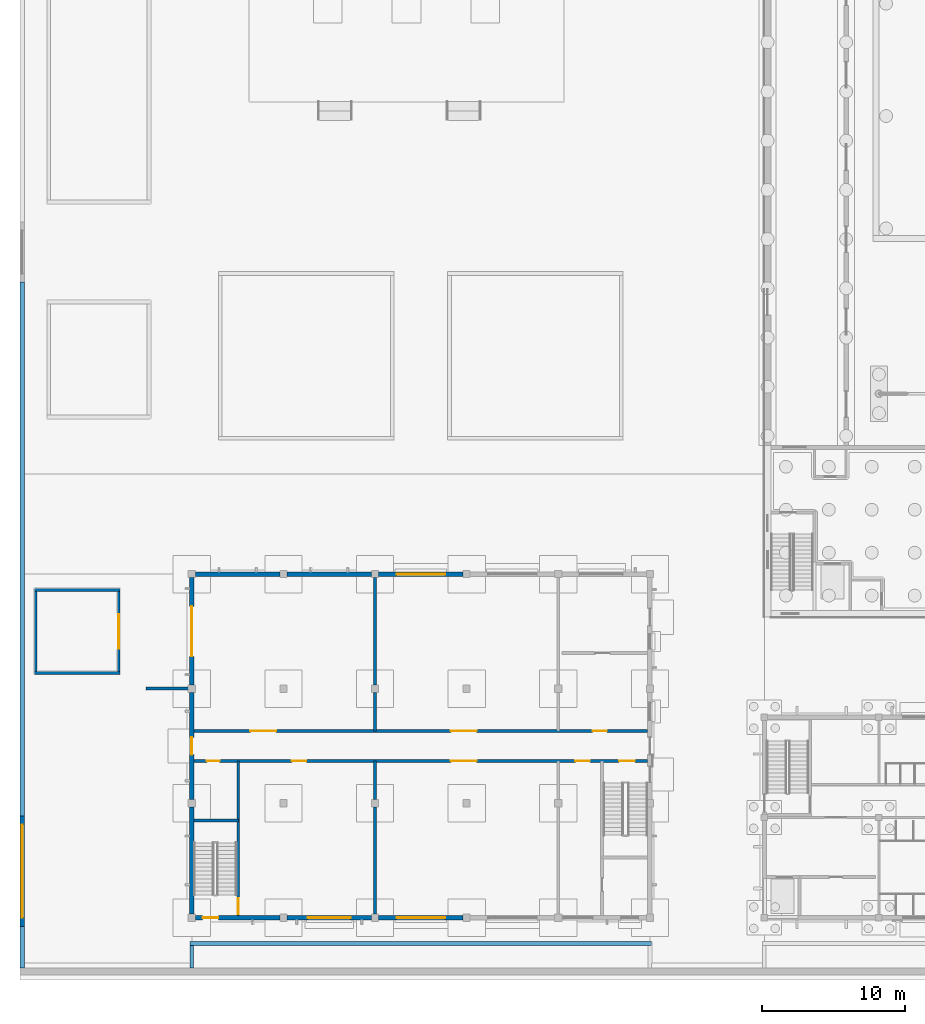
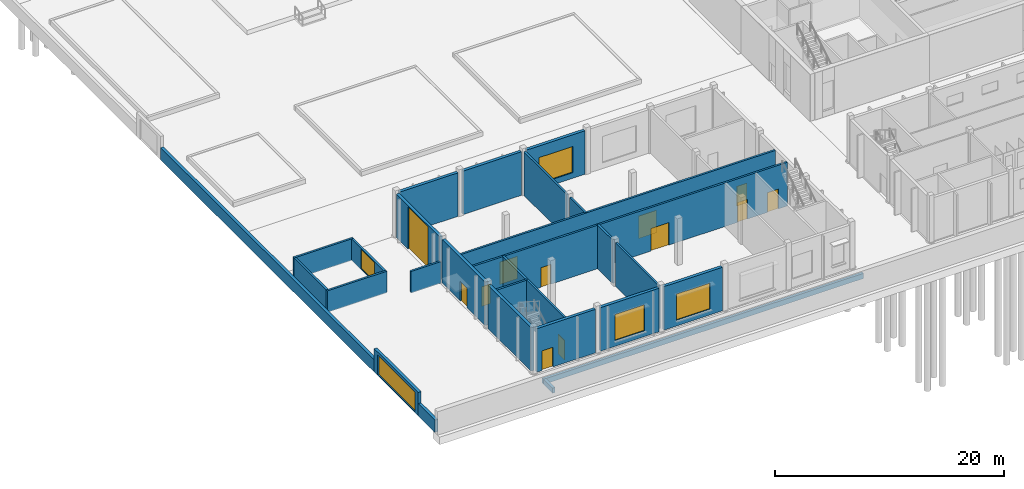
# One storey, part 74 of 157: 27 walls, 14 doors, 3 windows, 17 openings.
"""IFC4 building model written with IfcOpenShell, lengths in metres."""

from ifc_helpers import new_model, si_unit, direction, frame, frame_2d, origin, place, context, subcontext, project, spatial, rectangle, extrude, material, layer, layer_set, type_object, element, fill, save


model = new_model("IFC4")

# Units and contexts
model_context = context("Model", 3, precision=1e-05, world=origin(), true_north=direction((0.0, 1.0)))
body_context = subcontext(model_context, "Body", "Model", "MODEL_VIEW")
ifc_project = project(units=[si_unit("LENGTHUNIT", "METRE"), si_unit("AREAUNIT", "SQUARE_METRE"), si_unit("VOLUMEUNIT", "CUBIC_METRE"), si_unit("PLANEANGLEUNIT", "RADIAN"), si_unit("MASSUNIT", "GRAM", prefix="KILO")], contexts=[model_context])

# Site, building, storey
site_placement = place(None, origin())
site = spatial("IfcSite", under=ifc_project, at=site_placement, CompositionType="ELEMENT")
building_placement = place(site_placement, origin())
building = spatial("IfcBuilding", under=site, at=building_placement, Name="Windward Yard Aquatics Centre", CompositionType="ELEMENT")
storey_placement = place(building_placement, origin())
storey = spatial("IfcBuildingStorey", under=building, at=storey_placement, Name="L00", CompositionType="ELEMENT", Elevation=0.0)

# Wall, openings, doors
ifc_material_1 = material(Name="Concrete masonry unit plastered", Category="masonry")
ifc_layer_1 = layer(ifc_material_1, 0.199951171875)
ifc_layer_set_1 = layer_set([ifc_layer_1], Name="P masonry partition 200")
wall_type_1 = type_object("IfcWallType", Name="P masonry partition 200", PredefinedType="PARTITIONING", material=ifc_layer_set_1)
wall_1_placement = place(storey_placement, frame((12.14990234375, 15.949951171875, 0.0), z_axis=(0.0, 0.0, 1.0), x_axis=(1.0, 0.0, 0.0)))
wall_1 = element("IfcWall", 1, at=wall_1_placement, inside=storey, type_object=wall_type_1, Name="P.W.L00.H1.1", PredefinedType="PARTITIONING", context=body_context, shape_type="SweptSolid", body=[
    extrude(rectangle(XDim=31.7001953125, YDim=0.199951171875, at=frame_2d((15.85009765625, 0.0))), origin(), (0.0, 0.0, 1.0), 4.639892578125),
])
opening_1_placement = place(wall_1_placement, frame((0.89990234375, 0.0, 0.0)))
opening_1 = element("IfcOpeningElement", 2, at=opening_1_placement, cuts=wall_1, Name="Opening P0007", PredefinedType="OPENING", context=body_context, shape_type="SweptSolid", body=[
    extrude(rectangle(XDim=0.89990234375, YDim=2.10009765625, at=frame_2d((0.449951171875, 1.050048828125))), frame((0.0, 0.10986328125, 0.0), z_axis=(0.0, -1.0, 0.0), x_axis=(1.0, 0.0, 0.0)), (0.0, 0.0, 1.0), 0.219970703125),
])
opening_2_placement = place(wall_1_placement, frame((6.85009765625, 0.0, 0.0)))
opening_2 = element("IfcOpeningElement", 3, at=opening_2_placement, cuts=wall_1, Name="Opening P0008", PredefinedType="OPENING", context=body_context, shape_type="SweptSolid", body=[
    extrude(rectangle(XDim=1.0, YDim=2.10009765625, at=frame_2d((0.5, 1.050048828125))), frame((0.0, 0.10986328125, 0.0), z_axis=(0.0, -1.0, 0.0), x_axis=(1.0, 0.0, 0.0)), (0.0, 0.0, 1.0), 0.219970703125),
])
opening_3_placement = place(wall_1_placement, frame((17.949951171875, 0.0, 0.0)))
opening_3 = element("IfcOpeningElement", 4, at=opening_3_placement, cuts=wall_1, Name="Opening P0009", PredefinedType="OPENING", context=body_context, shape_type="SweptSolid", body=[
    extrude(rectangle(XDim=1.800048828125, YDim=2.39990234375, at=frame_2d((0.89990234375, 1.199951171875))), frame((0.0, 0.10986328125, 0.0), z_axis=(0.0, -1.0, 0.0), x_axis=(1.0, 0.0, 0.0)), (0.0, 0.0, 1.0), 0.219970703125),
])
opening_4_placement = place(wall_1_placement, frame((26.64990234375, 0.0, 0.0)))
opening_4 = element("IfcOpeningElement", 5, at=opening_4_placement, cuts=wall_1, Name="Opening P0010", PredefinedType="OPENING", context=body_context, shape_type="SweptSolid", body=[
    extrude(rectangle(XDim=1.0, YDim=2.10009765625, at=frame_2d((0.5, 1.050048828125))), frame((0.0, 0.10986328125, 0.0), z_axis=(0.0, -1.0, 0.0), x_axis=(1.0, 0.0, 0.0)), (0.0, 0.0, 1.0), 0.219970703125),
])
opening_5_placement = place(wall_1_placement, frame((29.699951171875, 0.0, 0.0)))
opening_5 = element("IfcOpeningElement", 6, at=opening_5_placement, cuts=wall_1, Name="Opening P0011", PredefinedType="OPENING", context=body_context, shape_type="SweptSolid", body=[
    extrude(rectangle(XDim=1.10009765625, YDim=2.10009765625, at=frame_2d((0.550048828125, 1.050048828125))), frame((0.0, 0.10986328125, 0.0), z_axis=(0.0, -1.0, 0.0), x_axis=(1.0, 0.0, 0.0)), (0.0, 0.0, 1.0), 0.219970703125),
])
ifc_material_2 = material(Name="Timber door leaf in steel frame", Category="steel")
door_type_1 = type_object("IfcDoorType", Name="P door 1000X2100 FD60", OperationType="SINGLE_SWING_LEFT", PredefinedType="DOOR", material=ifc_material_2)
door_1_placement = place(opening_2_placement, origin())
door_1 = element("IfcDoor", 7, at=door_1_placement, inside=storey, type_object=door_type_1, Name="Door P0008", OperationType="SINGLE_SWING_LEFT", OverallHeight=2.10009765625, OverallWidth=1.0, PredefinedType="DOOR", context=body_context, shape_type="SweptSolid", body=[
    extrude(rectangle(XDim=1.0, YDim=2.10009765625, at=frame_2d((0.5, 1.050048828125))), frame((0.0, 0.02490234375, 0.0), z_axis=(0.0, -1.0, 0.0), x_axis=(1.0, 0.0, 0.0)), (0.0, 0.0, 1.0), 0.050048828125),
])
fill(opening_2, door_1)
door_2_placement = place(opening_4_placement, origin())
door_2 = element("IfcDoor", 8, at=door_2_placement, inside=storey, type_object=door_type_1, Name="Door P0010", OperationType="SINGLE_SWING_LEFT", OverallHeight=2.10009765625, OverallWidth=1.0, PredefinedType="DOOR", context=body_context, shape_type="SweptSolid", body=[
    extrude(rectangle(XDim=1.0, YDim=2.10009765625, at=frame_2d((0.5, 1.050048828125))), frame((0.0, 0.02490234375, 0.0), z_axis=(0.0, -1.0, 0.0), x_axis=(1.0, 0.0, 0.0)), (0.0, 0.0, 1.0), 0.050048828125),
])
fill(opening_4, door_2)
door_type_2 = type_object("IfcDoorType", Name="P door 900X2100 FD60", OperationType="SINGLE_SWING_LEFT", PredefinedType="DOOR", material=ifc_material_2)
door_3_placement = place(opening_1_placement, origin())
door_3 = element("IfcDoor", 9, at=door_3_placement, inside=storey, type_object=door_type_2, Name="Door P0007", OperationType="SINGLE_SWING_LEFT", OverallHeight=2.10009765625, OverallWidth=0.89990234375, PredefinedType="DOOR", context=body_context, shape_type="SweptSolid", body=[
    extrude(rectangle(XDim=0.89990234375, YDim=2.10009765625, at=frame_2d((0.449951171875, 1.050048828125))), frame((0.0, 0.02490234375, 0.0), z_axis=(0.0, -1.0, 0.0), x_axis=(1.0, 0.0, 0.0)), (0.0, 0.0, 1.0), 0.050048828125),
])
fill(opening_1, door_3)
door_type_3 = type_object("IfcDoorType", Name="P double door 1800X2400 FD60", OperationType="DOUBLE_DOOR_SINGLE_SWING", PredefinedType="DOOR", material=ifc_material_2)
door_4_placement = place(opening_3_placement, origin())
door_4 = element("IfcDoor", 10, at=door_4_placement, inside=storey, type_object=door_type_3, Name="Door P0009", OperationType="DOUBLE_DOOR_SINGLE_SWING", OverallHeight=2.39990234375, OverallWidth=1.800048828125, PredefinedType="DOOR", context=body_context, shape_type="SweptSolid", body=[
    extrude(rectangle(XDim=1.800048828125, YDim=2.39990234375, at=frame_2d((0.89990234375, 1.199951171875))), frame((0.0, 0.02490234375, 0.0), z_axis=(0.0, -1.0, 0.0), x_axis=(1.0, 0.0, 0.0)), (0.0, 0.0, 1.0), 0.050048828125),
])
fill(opening_3, door_4)
ifc_material_3 = material(Name="Steel door leaf in steel frame", Category="steel")
door_type_4 = type_object("IfcDoorType", Name="P steel door 1100X2100 FD60", OperationType="SINGLE_SWING_LEFT", PredefinedType="DOOR", material=ifc_material_3)
door_5_placement = place(opening_5_placement, origin())
door_5 = element("IfcDoor", 11, at=door_5_placement, inside=storey, type_object=door_type_4, Name="Door P0011", OperationType="SINGLE_SWING_LEFT", OverallHeight=2.10009765625, OverallWidth=1.10009765625, PredefinedType="DOOR", context=body_context, shape_type="SweptSolid", body=[
    extrude(rectangle(XDim=1.10009765625, YDim=2.10009765625, at=frame_2d((0.550048828125, 1.050048828125))), frame((0.0, 0.02490234375, 0.0), z_axis=(0.0, -1.0, 0.0), x_axis=(1.0, 0.0, 0.0)), (0.0, 0.0, 1.0), 0.050048828125),
])
fill(opening_5, door_5)

wall_2_placement = place(storey_placement, frame((12.14990234375, 18.050048828125, 0.0), z_axis=(0.0, 0.0, 1.0), x_axis=(1.0, 0.0, 0.0)))
wall_2 = element("IfcWall", 12, at=wall_2_placement, inside=storey, type_object=wall_type_1, Name="P.W.L00.H2.1", PredefinedType="PARTITIONING", context=body_context, shape_type="SweptSolid", body=[
    extrude(rectangle(XDim=31.7001953125, YDim=0.199951171875, at=frame_2d((15.85009765625, 0.0))), origin(), (0.0, 0.0, 1.0), 4.639892578125),
])
opening_6_placement = place(wall_2_placement, frame((3.949951171875, 0.0, 0.0)))
opening_6 = element("IfcOpeningElement", 13, at=opening_6_placement, cuts=wall_2, Name="Opening P0012", PredefinedType="OPENING", context=body_context, shape_type="SweptSolid", body=[
    extrude(rectangle(XDim=1.800048828125, YDim=2.39990234375, at=frame_2d((0.89990234375, 1.199951171875))), frame((0.0, 0.10986328125, 0.0), z_axis=(0.0, -1.0, 0.0), x_axis=(1.0, 0.0, 0.0)), (0.0, 0.0, 1.0), 0.219970703125),
])
opening_7_placement = place(wall_2_placement, frame((17.949951171875, 0.0, 0.0)))
opening_7 = element("IfcOpeningElement", 14, at=opening_7_placement, cuts=wall_2, Name="Opening P0013", PredefinedType="OPENING", context=body_context, shape_type="SweptSolid", body=[
    extrude(rectangle(XDim=1.800048828125, YDim=2.39990234375, at=frame_2d((0.89990234375, 1.199951171875))), frame((0.0, 0.10986328125, 0.0), z_axis=(0.0, -1.0, 0.0), x_axis=(1.0, 0.0, 0.0)), (0.0, 0.0, 1.0), 0.219970703125),
])
opening_8_placement = place(wall_2_placement, frame((27.85009765625, 0.0, 0.0)))
opening_8 = element("IfcOpeningElement", 15, at=opening_8_placement, cuts=wall_2, Name="Opening P0014", PredefinedType="OPENING", context=body_context, shape_type="SweptSolid", body=[
    extrude(rectangle(XDim=1.0, YDim=2.10009765625, at=frame_2d((0.5, 1.050048828125))), frame((0.0, 0.10986328125, 0.0), z_axis=(0.0, -1.0, 0.0), x_axis=(1.0, 0.0, 0.0)), (0.0, 0.0, 1.0), 0.219970703125),
])
door_6_placement = place(opening_8_placement, origin())
door_6 = element("IfcDoor", 16, at=door_6_placement, inside=storey, type_object=door_type_1, Name="Door P0014", OperationType="SINGLE_SWING_LEFT", OverallHeight=2.10009765625, OverallWidth=1.0, PredefinedType="DOOR", context=body_context, shape_type="SweptSolid", body=[
    extrude(rectangle(XDim=1.0, YDim=2.10009765625, at=frame_2d((0.5, 1.050048828125))), frame((0.0, 0.02490234375, 0.0), z_axis=(0.0, -1.0, 0.0), x_axis=(1.0, 0.0, 0.0)), (0.0, 0.0, 1.0), 0.050048828125),
])
fill(opening_8, door_6)
door_7_placement = place(opening_6_placement, origin())
door_7 = element("IfcDoor", 17, at=door_7_placement, inside=storey, type_object=door_type_3, Name="Door P0012", OperationType="DOUBLE_DOOR_SINGLE_SWING", OverallHeight=2.39990234375, OverallWidth=1.800048828125, PredefinedType="DOOR", context=body_context, shape_type="SweptSolid", body=[
    extrude(rectangle(XDim=1.800048828125, YDim=2.39990234375, at=frame_2d((0.89990234375, 1.199951171875))), frame((0.0, 0.02490234375, 0.0), z_axis=(0.0, -1.0, 0.0), x_axis=(1.0, 0.0, 0.0)), (0.0, 0.0, 1.0), 0.050048828125),
])
fill(opening_6, door_7)
door_8_placement = place(opening_7_placement, origin())
door_8 = element("IfcDoor", 18, at=door_8_placement, inside=storey, type_object=door_type_3, Name="Door P0013", OperationType="DOUBLE_DOOR_SINGLE_SWING", OverallHeight=2.39990234375, OverallWidth=1.800048828125, PredefinedType="DOOR", context=body_context, shape_type="SweptSolid", body=[
    extrude(rectangle(XDim=1.800048828125, YDim=2.39990234375, at=frame_2d((0.89990234375, 1.199951171875))), frame((0.0, 0.02490234375, 0.0), z_axis=(0.0, -1.0, 0.0), x_axis=(1.0, 0.0, 0.0)), (0.0, 0.0, 1.0), 0.050048828125),
])
fill(opening_7, door_8)

# Walls
wall_3_placement = place(storey_placement, frame((24.800048828125, 5.25, 0.0), z_axis=(0.0, 0.0, 1.0), x_axis=(0.0, 1.0, 0.0)))
element("IfcWall", 19, at=wall_3_placement, inside=storey, type_object=wall_type_1, Name="P.W.L00.V2.1", PredefinedType="PARTITIONING", context=body_context, shape_type="SweptSolid", body=[
    extrude(rectangle(XDim=7.5, YDim=0.199951171875, at=frame_2d((3.75, 0.0))), origin(), (0.0, 0.0, 1.0), 4.639892578125),
])
for number, where, z_axis, x_axis, name in (
    (20, (24.800048828125, 13.25, 0.0), (0.0, 0.0, 1.0), (0.0, 1.0, 0.0), "P.W.L00.V2.2"),
    (21, (24.800048828125, 18.050048828125, 0.0), (0.0, 0.0, 1.0), (0.0, 1.0, 0.0), "P.W.L00.V5.1"),
):
    element("IfcWall", number, at=place(storey_placement, frame(where, z_axis=z_axis, x_axis=x_axis)), inside=storey, type_object=wall_type_1, Name=name, PredefinedType="PARTITIONING", context=body_context, shape_type="SweptSolid", body=[
        extrude(rectangle(XDim=2.699951171875, YDim=0.199951171875, at=frame_2d((1.35009765625, 0.0))), origin(), (0.0, 0.0, 1.0), 4.639892578125),
    ])
wall_4_placement = place(storey_placement, frame((24.800048828125, 21.25, 0.0), z_axis=(0.0, 0.0, 1.0), x_axis=(0.0, 1.0, 0.0)))
element("IfcWall", 22, at=wall_4_placement, inside=storey, type_object=wall_type_1, Name="P.W.L00.V5.2", PredefinedType="PARTITIONING", context=body_context, shape_type="SweptSolid", body=[
    extrude(rectangle(XDim=7.5, YDim=0.199951171875, at=frame_2d((3.75, 0.0))), origin(), (0.0, 0.0, 1.0), 4.639892578125),
])

# Wall, opening, door
ifc_material_4 = material(Name="Concrete C35/45", Category="concrete")
ifc_layer_2 = layer(ifc_material_4, 0.300048828125)
ifc_layer_set_2 = layer_set([ifc_layer_2], Name="P plant external wall 300")
wall_type_2 = type_object("IfcWallType", Name="P plant external wall 300", PredefinedType="SOLIDWALL", material=ifc_layer_set_2)
wall_5_placement = place(storey_placement, frame((12.25, 5.0, 0.0), z_axis=(0.0, 0.0, 1.0), x_axis=(1.0, 0.0, 0.0)))
wall_5 = element("IfcWall", 23, at=wall_5_placement, inside=storey, type_object=wall_type_2, Name="P.W.L00.S1", PredefinedType="SOLIDWALL", context=body_context, shape_type="SweptSolid", body=[
    extrude(rectangle(XDim=5.89990234375, YDim=0.300048828125, at=frame_2d((2.949951171875, 0.0))), origin(), (0.0, 0.0, 1.0), 4.639892578125),
])
opening_9_placement = place(wall_5_placement, frame((1.60009765625, 0.0, 0.0), z_axis=(0.0, 0.0, 1.0), x_axis=(-1.0, 0.0, 0.0)))
opening_9 = element("IfcOpeningElement", 24, at=opening_9_placement, cuts=wall_5, Name="Opening P0006", PredefinedType="OPENING", context=body_context, shape_type="SweptSolid", body=[
    extrude(rectangle(XDim=1.10009765625, YDim=2.10009765625, at=frame_2d((0.550048828125, 1.050048828125))), frame((0.0, 0.16015625, 0.0), z_axis=(0.0, -1.0, 0.0), x_axis=(1.0, 0.0, 0.0)), (0.0, 0.0, 1.0), 0.320068359375),
])
door_9_placement = place(opening_9_placement, origin())
door_9 = element("IfcDoor", 25, at=door_9_placement, inside=storey, type_object=door_type_4, Name="Door P0006", OperationType="SINGLE_SWING_LEFT", OverallHeight=2.10009765625, OverallWidth=1.10009765625, PredefinedType="DOOR", context=body_context, shape_type="SweptSolid", body=[
    extrude(rectangle(XDim=1.10009765625, YDim=2.10009765625, at=frame_2d((0.550048828125, 1.050048828125))), frame((0.0, 0.02490234375, 0.0), z_axis=(0.0, -1.0, 0.0), x_axis=(1.0, 0.0, 0.0)), (0.0, 0.0, 1.0), 0.050048828125),
])
fill(opening_9, door_9)

# Wall, opening, window
wall_6_placement = place(storey_placement, frame((18.64990234375, 5.0, 0.0), z_axis=(0.0, 0.0, 1.0), x_axis=(1.0, 0.0, 0.0)))
wall_6 = element("IfcWall", 26, at=wall_6_placement, inside=storey, type_object=wall_type_2, Name="P.W.L00.S2", PredefinedType="SOLIDWALL", context=body_context, shape_type="SweptSolid", body=[
    extrude(rectangle(XDim=5.900146484375, YDim=0.300048828125, at=frame_2d((2.9501953125, 0.0))), origin(), (0.0, 0.0, 1.0), 4.639892578125),
])
opening_10_placement = place(wall_6_placement, frame((1.449951171875, 0.0, 0.60009765625)))
opening_10 = element("IfcOpeningElement", 27, at=opening_10_placement, cuts=wall_6, Name="Opening PW0001", PredefinedType="OPENING", context=body_context, shape_type="SweptSolid", body=[
    extrude(rectangle(XDim=3.0, YDim=2.800048828125, at=frame_2d((1.5, 1.39990234375))), frame((0.0, 0.16015625, 0.0), z_axis=(0.0, -1.0, 0.0), x_axis=(1.0, 0.0, 0.0)), (0.0, 0.0, 1.0), 0.320068359375),
])
ifc_material_5 = material(Name="Aluminium storm louvre", Category="aluminium")
window_type_1 = type_object("IfcWindowType", Name="P louvre 3000X2800", PartitioningType="NOTDEFINED", PredefinedType="USERDEFINED", material=ifc_material_5)
window_1_placement = place(opening_10_placement, origin())
window_1 = element("IfcWindow", 28, at=window_1_placement, inside=storey, type_object=window_type_1, Name="Louvre PW0001", ObjectType="STORM LOUVRE", OverallHeight=2.800048828125, OverallWidth=3.0, PartitioningType="SINGLE_PANEL", PredefinedType="USERDEFINED", context=body_context, shape_type="SweptSolid", body=[
    extrude(rectangle(XDim=3.0, YDim=2.800048828125, at=frame_2d((1.5, 1.39990234375))), frame((0.0, 0.030029296875, 0.0), z_axis=(0.0, -1.0, 0.0), x_axis=(1.0, 0.0, 0.0)), (0.0, 0.0, 1.0), 0.06005859375),
])
fill(opening_10, window_1)

wall_7_placement = place(storey_placement, frame((25.050048828125, 5.0, 0.0), z_axis=(0.0, 0.0, 1.0), x_axis=(1.0, 0.0, 0.0)))
wall_7 = element("IfcWall", 29, at=wall_7_placement, inside=storey, type_object=wall_type_2, Name="P.W.L00.S3", PredefinedType="SOLIDWALL", context=body_context, shape_type="SweptSolid", body=[
    extrude(rectangle(XDim=5.89990234375, YDim=0.300048828125, at=frame_2d((2.949951171875, 0.0))), origin(), (0.0, 0.0, 1.0), 4.639892578125),
])
opening_11_placement = place(wall_7_placement, frame((1.25, 0.0, 0.60009765625)))
opening_11 = element("IfcOpeningElement", 30, at=opening_11_placement, cuts=wall_7, Name="Opening PW0002", PredefinedType="OPENING", context=body_context, shape_type="SweptSolid", body=[
    extrude(rectangle(XDim=3.39990234375, YDim=2.800048828125, at=frame_2d((1.699951171875, 1.39990234375))), frame((0.0, 0.16015625, 0.0), z_axis=(0.0, -1.0, 0.0), x_axis=(1.0, 0.0, 0.0)), (0.0, 0.0, 1.0), 0.320068359375),
])
window_type_2 = type_object("IfcWindowType", Name="P louvre 3400X2800", PartitioningType="NOTDEFINED", PredefinedType="USERDEFINED", material=ifc_material_5)
window_2_placement = place(opening_11_placement, origin())
window_2 = element("IfcWindow", 31, at=window_2_placement, inside=storey, type_object=window_type_2, Name="Louvre PW0002", ObjectType="STORM LOUVRE", OverallHeight=2.800048828125, OverallWidth=3.39990234375, PartitioningType="SINGLE_PANEL", PredefinedType="USERDEFINED", context=body_context, shape_type="SweptSolid", body=[
    extrude(rectangle(XDim=3.39990234375, YDim=2.800048828125, at=frame_2d((1.699951171875, 1.39990234375))), frame((0.0, 0.030029296875, 0.0), z_axis=(0.0, -1.0, 0.0), x_axis=(1.0, 0.0, 0.0)), (0.0, 0.0, 1.0), 0.06005859375),
])
fill(opening_11, window_2)

# Walls
wall_8_placement = place(storey_placement, frame((12.25, 29.0, 0.0), z_axis=(0.0, 0.0, 1.0), x_axis=(1.0, 0.0, 0.0)))
element("IfcWall", 32, at=wall_8_placement, inside=storey, type_object=wall_type_2, Name="P.W.L00.N1", PredefinedType="SOLIDWALL", context=body_context, shape_type="SweptSolid", body=[
    extrude(rectangle(XDim=5.89990234375, YDim=0.300048828125, at=frame_2d((2.949951171875, 0.0))), origin(), (0.0, 0.0, 1.0), 4.639892578125),
])
wall_9_placement = place(storey_placement, frame((18.64990234375, 29.0, 0.0), z_axis=(0.0, 0.0, 1.0), x_axis=(1.0, 0.0, 0.0)))
element("IfcWall", 33, at=wall_9_placement, inside=storey, type_object=wall_type_2, Name="P.W.L00.N2", PredefinedType="SOLIDWALL", context=body_context, shape_type="SweptSolid", body=[
    extrude(rectangle(XDim=5.900146484375, YDim=0.300048828125, at=frame_2d((2.9501953125, 0.0))), origin(), (0.0, 0.0, 1.0), 4.639892578125),
])

# Wall, opening, window
wall_10_placement = place(storey_placement, frame((25.050048828125, 29.0, 0.0), z_axis=(0.0, 0.0, 1.0), x_axis=(1.0, 0.0, 0.0)))
wall_10 = element("IfcWall", 34, at=wall_10_placement, inside=storey, type_object=wall_type_2, Name="P.W.L00.N3", PredefinedType="SOLIDWALL", context=body_context, shape_type="SweptSolid", body=[
    extrude(rectangle(XDim=5.89990234375, YDim=0.300048828125, at=frame_2d((2.949951171875, 0.0))), origin(), (0.0, 0.0, 1.0), 4.639892578125),
])
opening_12_placement = place(wall_10_placement, frame((1.25, 0.0, 0.60009765625)))
opening_12 = element("IfcOpeningElement", 35, at=opening_12_placement, cuts=wall_10, Name="Opening PW0006", PredefinedType="OPENING", context=body_context, shape_type="SweptSolid", body=[
    extrude(rectangle(XDim=3.39990234375, YDim=2.800048828125, at=frame_2d((1.699951171875, 1.39990234375))), frame((0.0, 0.16015625, 0.0), z_axis=(0.0, -1.0, 0.0), x_axis=(1.0, 0.0, 0.0)), (0.0, 0.0, 1.0), 0.320068359375),
])
window_3_placement = place(opening_12_placement, origin())
window_3 = element("IfcWindow", 36, at=window_3_placement, inside=storey, type_object=window_type_2, Name="Louvre PW0006", ObjectType="STORM LOUVRE", OverallHeight=2.800048828125, OverallWidth=3.39990234375, PartitioningType="SINGLE_PANEL", PredefinedType="USERDEFINED", context=body_context, shape_type="SweptSolid", body=[
    extrude(rectangle(XDim=3.39990234375, YDim=2.800048828125, at=frame_2d((1.699951171875, 1.39990234375))), frame((0.0, 0.030029296875, 0.0), z_axis=(0.0, -1.0, 0.0), x_axis=(1.0, 0.0, 0.0)), (0.0, 0.0, 1.0), 0.06005859375),
])
fill(opening_12, window_3)

# Wall
wall_11_placement = place(storey_placement, frame((12.0, 5.25, 0.0), z_axis=(0.0, 0.0, 1.0), x_axis=(0.0, 1.0, 0.0)))
element("IfcWall", 37, at=wall_11_placement, inside=storey, type_object=wall_type_2, Name="P.W.L00.W1", PredefinedType="SOLIDWALL", context=body_context, shape_type="SweptSolid", body=[
    extrude(rectangle(XDim=7.5, YDim=0.300048828125, at=frame_2d((3.75, 0.0))), origin(), (0.0, 0.0, 1.0), 4.639892578125),
])

# Wall, opening, door
wall_12_placement = place(storey_placement, frame((12.0, 13.25, 0.0), z_axis=(0.0, 0.0, 1.0), x_axis=(0.0, 1.0, 0.0)))
wall_12 = element("IfcWall", 38, at=wall_12_placement, inside=storey, type_object=wall_type_2, Name="P.W.L00.W2", PredefinedType="SOLIDWALL", context=body_context, shape_type="SweptSolid", body=[
    extrude(rectangle(XDim=7.5, YDim=0.300048828125, at=frame_2d((3.75, 0.0))), origin(), (0.0, 0.0, 1.0), 4.639892578125),
])
opening_13_placement = place(wall_12_placement, frame((3.14990234375, 0.0, 0.0)))
opening_13 = element("IfcOpeningElement", 39, at=opening_13_placement, cuts=wall_12, Name="Opening P0002", PredefinedType="OPENING", context=body_context, shape_type="SweptSolid", body=[
    extrude(rectangle(XDim=1.199951171875, YDim=2.10009765625, at=frame_2d((0.60009765625, 1.050048828125))), frame((0.0, 0.16015625, 0.0), z_axis=(0.0, -1.0, 0.0), x_axis=(1.0, 0.0, 0.0)), (0.0, 0.0, 1.0), 0.320068359375),
])
door_type_5 = type_object("IfcDoorType", Name="P steel door 1200X2100 FD60", OperationType="SINGLE_SWING_LEFT", PredefinedType="DOOR", material=ifc_material_3)
door_10_placement = place(opening_13_placement, origin())
door_10 = element("IfcDoor", 40, at=door_10_placement, inside=storey, type_object=door_type_5, Name="Door P0002", OperationType="SINGLE_SWING_LEFT", OverallHeight=2.10009765625, OverallWidth=1.199951171875, PredefinedType="DOOR", context=body_context, shape_type="SweptSolid", body=[
    extrude(rectangle(XDim=1.199951171875, YDim=2.10009765625, at=frame_2d((0.60009765625, 1.050048828125))), frame((0.0, 0.02490234375, 0.0), z_axis=(0.0, -1.0, 0.0), x_axis=(1.0, 0.0, 0.0)), (0.0, 0.0, 1.0), 0.050048828125),
])
fill(opening_13, door_10)

wall_13_placement = place(storey_placement, frame((12.0, 21.25, 0.0), z_axis=(0.0, 0.0, 1.0), x_axis=(0.0, 1.0, 0.0)))
wall_13 = element("IfcWall", 41, at=wall_13_placement, inside=storey, type_object=wall_type_2, Name="P.W.L00.W3", PredefinedType="SOLIDWALL", context=body_context, shape_type="SweptSolid", body=[
    extrude(rectangle(XDim=7.5, YDim=0.300048828125, at=frame_2d((3.75, 0.0))), origin(), (0.0, 0.0, 1.0), 4.639892578125),
])
opening_14_placement = place(wall_13_placement, frame((2.0, 0.0, 0.0)))
opening_14 = element("IfcOpeningElement", 42, at=opening_14_placement, cuts=wall_13, Name="Opening P0001", PredefinedType="OPENING", context=body_context, shape_type="SweptSolid", body=[
    extrude(rectangle(XDim=3.5, YDim=4.5, at=frame_2d((1.75, 2.25))), frame((0.0, 0.16015625, 0.0), z_axis=(0.0, -1.0, 0.0), x_axis=(1.0, 0.0, 0.0)), (0.0, 0.0, 1.0), 0.320068359375),
])
ifc_material_6 = material(Name="Galvanised steel roller shutter", Category="steel")
door_type_6 = type_object("IfcDoorType", Name="P vehicle shutter 3500X4500 NOT RATED", OperationType="ROLLINGUP", PredefinedType="GATE", material=ifc_material_6)
door_11_placement = place(opening_14_placement, origin())
door_11 = element("IfcDoor", 43, at=door_11_placement, inside=storey, type_object=door_type_6, Name="Loading bay vehicle opening", OperationType="ROLLINGUP", OverallHeight=4.5, OverallWidth=3.5, PredefinedType="GATE", context=body_context, shape_type="SweptSolid", body=[
    extrude(rectangle(XDim=3.5, YDim=4.5, at=frame_2d((1.75, 2.25))), frame((0.0, 0.02490234375, 0.0), z_axis=(0.0, -1.0, 0.0), x_axis=(1.0, 0.0, 0.0)), (0.0, 0.0, 1.0), 0.050048828125),
])
fill(opening_14, door_11)

ifc_layer_3 = layer(ifc_material_4, 0.199951171875)
ifc_layer_set_3 = layer_set([ifc_layer_3], Name="P stair enclosure wall 200")
wall_type_3 = type_object("IfcWallType", Name="P stair enclosure wall 200", PredefinedType="SOLIDWALL", material=ifc_layer_set_3)
wall_14_placement = place(storey_placement, frame((15.25, 5.14990234375, 0.0), z_axis=(0.0, 0.0, 1.0), x_axis=(0.0, 1.0, 0.0)))
wall_14 = element("IfcWall", 44, at=wall_14_placement, inside=storey, type_object=wall_type_3, Name="P.W.L00.V1.1", PredefinedType="SOLIDWALL", context=body_context, shape_type="SweptSolid", body=[
    extrude(rectangle(XDim=10.800048828125, YDim=0.199951171875, at=frame_2d((5.39990234375, 0.0))), origin(), (0.0, 0.0, 1.0), 4.639892578125),
])
opening_15_placement = place(wall_14_placement, frame((0.10009765625, 0.0, 0.0)))
opening_15 = element("IfcOpeningElement", 45, at=opening_15_placement, cuts=wall_14, Name="Opening P0017", PredefinedType="OPENING", context=body_context, shape_type="SweptSolid", body=[
    extrude(rectangle(XDim=1.10009765625, YDim=2.10009765625, at=frame_2d((0.550048828125, 1.050048828125))), frame((0.0, 0.10986328125, 0.0), z_axis=(0.0, -1.0, 0.0), x_axis=(1.0, 0.0, 0.0)), (0.0, 0.0, 1.0), 0.219970703125),
])
door_12_placement = place(opening_15_placement, origin())
door_12 = element("IfcDoor", 46, at=door_12_placement, inside=storey, type_object=door_type_4, Name="Door P0017", OperationType="SINGLE_SWING_LEFT", OverallHeight=2.10009765625, OverallWidth=1.10009765625, PredefinedType="DOOR", context=body_context, shape_type="SweptSolid", body=[
    extrude(rectangle(XDim=1.10009765625, YDim=2.10009765625, at=frame_2d((0.550048828125, 1.050048828125))), frame((0.0, 0.02490234375, 0.0), z_axis=(0.0, -1.0, 0.0), x_axis=(1.0, 0.0, 0.0)), (0.0, 0.0, 1.0), 0.050048828125),
])
fill(opening_15, door_12)

# Walls
wall_15_placement = place(storey_placement, frame((12.14990234375, 11.800048828125, 0.0), z_axis=(0.0, 0.0, 1.0), x_axis=(1.0, 0.0, 0.0)))
element("IfcWall", 47, at=wall_15_placement, inside=storey, type_object=wall_type_3, Name="P.W.L00.H4.1", PredefinedType="SOLIDWALL", context=body_context, shape_type="SweptSolid", body=[
    extrude(rectangle(XDim=3.10009765625, YDim=0.199951171875, at=frame_2d((1.550048828125, 0.0))), origin(), (0.0, 0.0, 1.0), 4.639892578125),
])
ifc_material_7 = material(Name="Concrete C30/37", Category="concrete")
ifc_layer_4 = layer(ifc_material_7, 0.300048828125)
ifc_layer_set_4 = layer_set([ifc_layer_4], Name="X Boundary Wall Concrete C30/37 300 x 1200")
wall_type_4 = type_object("IfcWallType", Name="X Boundary Wall Concrete C30/37 300 x 1200", PredefinedType="SOLIDWALL", material=ifc_layer_set_4)
wall_16_placement = place(storey_placement, frame((0.14990234375, 1.5, -0.10009765625), z_axis=(0.0, 0.0, 1.0), x_axis=(0.0, 1.0, 0.0)))
element("IfcWall", 48, at=wall_16_placement, inside=storey, type_object=wall_type_4, Name="West road boundary wall", PredefinedType="SOLIDWALL", context=body_context, shape_type="SweptSolid", body=[
    extrude(rectangle(XDim=2.89990234375, YDim=0.300048828125, at=frame_2d((1.449951171875, 0.0))), origin(), (0.0, 0.0, 1.0), 1.300048828125),
])
wall_17_placement = place(storey_placement, frame((0.14990234375, 12.10009765625, -0.10009765625), z_axis=(0.0, 0.0, 1.0), x_axis=(0.0, 1.0, 0.0)))
element("IfcWall", 49, at=wall_17_placement, inside=storey, type_object=wall_type_4, Name="West road boundary wall", PredefinedType="SOLIDWALL", context=body_context, shape_type="SweptSolid", body=[
    extrude(rectangle(XDim=37.2998046875, YDim=0.300048828125, at=frame_2d((18.64990234375, 0.0))), origin(), (0.0, 0.0, 1.0), 1.300048828125),
])

# Wall, opening, door
ifc_layer_5 = layer(ifc_material_7, 0.300048828125)
ifc_layer_set_5 = layer_set([ifc_layer_5], Name="X Gate Wall Concrete C30/37 300 x 2400")
wall_type_5 = type_object("IfcWallType", Name="X Gate Wall Concrete C30/37 300 x 2400", PredefinedType="SOLIDWALL", material=ifc_layer_set_5)
wall_18_placement = place(storey_placement, frame((0.14990234375, 4.39990234375, -0.10009765625), z_axis=(0.0, 0.0, 1.0), x_axis=(0.0, 1.0, 0.0)))
wall_18 = element("IfcWall", 50, at=wall_18_placement, inside=storey, type_object=wall_type_5, Name="Gate wall W1", PredefinedType="SOLIDWALL", context=body_context, shape_type="SweptSolid", body=[
    extrude(rectangle(XDim=7.7001953125, YDim=0.300048828125, at=frame_2d((3.85009765625, 0.0))), origin(), (0.0, 0.0, 1.0), 2.5),
])
opening_16_placement = place(wall_18_placement, frame((0.60009765625, 0.0, 0.10009765625)))
opening_16 = element("IfcOpeningElement", 51, at=opening_16_placement, cuts=wall_18, Name="Opening X0006", PredefinedType="OPENING", context=body_context, shape_type="SweptSolid", body=[
    extrude(rectangle(XDim=6.5, YDim=2.10009765625, at=frame_2d((3.25, 1.050048828125))), frame((0.0, 0.16015625, 0.0), z_axis=(0.0, -1.0, 0.0), x_axis=(1.0, 0.0, 0.0)), (0.0, 0.0, 1.0), 0.320068359375),
])
ifc_material_8 = material(Name="Galvanised steel gate leaf", Category="steel")
door_type_7 = type_object("IfcDoorType", Name="X Vehicle Gate Sliding 6500 x 2100", OperationType="SLIDING_TO_LEFT", PredefinedType="DOOR", material=ifc_material_8)
door_13_placement = place(opening_16_placement, origin())
door_13 = element("IfcDoor", 52, at=door_13_placement, inside=storey, type_object=door_type_7, Name="Service vehicle gate", OperationType="SLIDING_TO_LEFT", OverallHeight=2.10009765625, OverallWidth=6.5, PredefinedType="DOOR", context=body_context, shape_type="SweptSolid", body=[
    extrude(rectangle(XDim=6.5, YDim=2.10009765625, at=frame_2d((3.25, 1.050048828125))), frame((0.0, 0.02490234375, 0.0), z_axis=(0.0, -1.0, 0.0), x_axis=(1.0, 0.0, 0.0)), (0.0, 0.0, 1.0), 0.050048828125),
])
fill(opening_16, door_13)

# Walls
ifc_material_9 = material(Name="Bituminous waterproofing membrane with root barrier")
ifc_layer_6 = layer(ifc_material_9, 0.005, Name="Waterproofing and root barrier")
ifc_layer_7 = layer(ifc_material_7, 0.245, Name="Structure")
ifc_layer_set_6 = layer_set([ifc_layer_6, ifc_layer_7], Name="X Planter Wall Concrete C30/37 250 x 550")
wall_type_6 = type_object("IfcWallType", Name="X Planter Wall Concrete C30/37 250 x 550", PredefinedType="USERDEFINED", material=ifc_layer_set_6)
wall_19_placement = place(storey_placement, frame((11.875, 3.199951171875, -0.10009765625), z_axis=(0.0, 0.0, 1.0), x_axis=(1.0, 0.0, 0.0)))
element("IfcWall", 53, at=wall_19_placement, inside=storey, type_object=wall_type_6, Name="Rail side berm west planter wall", ObjectType="PLANTER WALL", PredefinedType="USERDEFINED", context=body_context, shape_type="SweptSolid", body=[
    extrude(rectangle(XDim=32.25, YDim=0.25, at=frame_2d((16.125, 0.0))), origin(), (0.0, 0.0, 1.0), 0.550048828125),
])
wall_20_placement = place(storey_placement, frame((12.0, 1.5, -0.10009765625), z_axis=(0.0, 0.0, 1.0), x_axis=(0.0, 1.0, 0.0)))
element("IfcWall", 54, at=wall_20_placement, inside=storey, type_object=wall_type_6, Name="Rail side berm west planter wall", ObjectType="PLANTER WALL", PredefinedType="USERDEFINED", context=body_context, shape_type="SweptSolid", body=[
    extrude(rectangle(XDim=1.574951171875, YDim=0.25, at=frame_2d((0.78759765625, 0.0))), origin(), (0.0, 0.0, 1.0), 0.550048828125),
])
ifc_layer_8 = layer(ifc_material_7, 0.199951171875)
ifc_layer_set_7 = layer_set([ifc_layer_8], Name="X Store Enclosure Wall Concrete C30/37 200 x 2200")
wall_type_7 = type_object("IfcWallType", Name="X Store Enclosure Wall Concrete C30/37 200 x 2200", PredefinedType="SOLIDWALL", material=ifc_layer_set_7)
for number, where, z_axis, x_axis, name in (
    (55, (1.0, 22.10009765625, -0.10009765625), (0.0, 0.0, 1.0), (1.0, 0.0, 0.0), "Refuse store wall"),
    (56, (1.0, 27.89990234375, -0.10009765625), (0.0, 0.0, 1.0), (1.0, 0.0, 0.0), "Refuse store wall"),
):
    element("IfcWall", number, at=place(storey_placement, frame(where, z_axis=z_axis, x_axis=x_axis)), inside=storey, type_object=wall_type_7, Name=name, PredefinedType="SOLIDWALL", context=body_context, shape_type="SweptSolid", body=[
        extrude(rectangle(XDim=6.0, YDim=0.199951171875, at=frame_2d((3.0, 0.0))), origin(), (0.0, 0.0, 1.0), 2.300048828125),
    ])
wall_21_placement = place(storey_placement, frame((1.10009765625, 22.199951171875, -0.10009765625), z_axis=(0.0, 0.0, 1.0), x_axis=(0.0, 1.0, 0.0)))
element("IfcWall", 57, at=wall_21_placement, inside=storey, type_object=wall_type_7, Name="Refuse store wall", PredefinedType="SOLIDWALL", context=body_context, shape_type="SweptSolid", body=[
    extrude(rectangle(XDim=5.60009765625, YDim=0.199951171875, at=frame_2d((2.800048828125, 0.0))), origin(), (0.0, 0.0, 1.0), 2.300048828125),
])

# Wall, opening, door
wall_22_placement = place(storey_placement, frame((6.89990234375, 22.199951171875, -0.10009765625), z_axis=(0.0, 0.0, 1.0), x_axis=(0.0, 1.0, 0.0)))
wall_22 = element("IfcWall", 58, at=wall_22_placement, inside=storey, type_object=wall_type_7, Name="Refuse store wall", PredefinedType="SOLIDWALL", context=body_context, shape_type="SweptSolid", body=[
    extrude(rectangle(XDim=5.60009765625, YDim=0.199951171875, at=frame_2d((2.800048828125, 0.0))), origin(), (0.0, 0.0, 1.0), 2.300048828125),
])
opening_17_placement = place(wall_22_placement, frame((1.60009765625, 0.0, 0.10009765625)))
opening_17 = element("IfcOpeningElement", 59, at=opening_17_placement, cuts=wall_22, Name="Opening X0011", PredefinedType="OPENING", context=body_context, shape_type="SweptSolid", body=[
    extrude(rectangle(XDim=2.39990234375, YDim=2.10009765625, at=frame_2d((1.199951171875, 1.050048828125))), frame((0.0, 0.10986328125, 0.0), z_axis=(0.0, -1.0, 0.0), x_axis=(1.0, 0.0, 0.0)), (0.0, 0.0, 1.0), 0.219970703125),
])
door_type_8 = type_object("IfcDoorType", Name="X Store Gate Double 2400 x 2100", OperationType="DOUBLE_DOOR_DOUBLE_SWING", PredefinedType="DOOR", material=ifc_material_8)
door_14_placement = place(opening_17_placement, origin())
door_14 = element("IfcDoor", 60, at=door_14_placement, inside=storey, type_object=door_type_8, Name="Refuse store gate", OperationType="DOUBLE_DOOR_DOUBLE_SWING", OverallHeight=2.10009765625, OverallWidth=2.39990234375, PredefinedType="DOOR", context=body_context, shape_type="SweptSolid", body=[
    extrude(rectangle(XDim=2.39990234375, YDim=2.10009765625, at=frame_2d((1.199951171875, 1.050048828125))), frame((0.0, 0.02490234375, 0.0), z_axis=(0.0, -1.0, 0.0), x_axis=(1.0, 0.0, 0.0)), (0.0, 0.0, 1.0), 0.050048828125),
])
fill(opening_17, door_14)

# Wall
wall_23_placement = place(storey_placement, frame((8.800048828125, 21.0, -0.10009765625), z_axis=(0.0, 0.0, 1.0), x_axis=(1.0, 0.0, 0.0)))
element("IfcWall", 61, at=wall_23_placement, inside=storey, type_object=wall_type_7, Name="Chemical delivery screen wall", PredefinedType="SOLIDWALL", context=body_context, shape_type="SweptSolid", body=[
    extrude(rectangle(XDim=3.0, YDim=0.199951171875, at=frame_2d((1.5, 0.0))), origin(), (0.0, 0.0, 1.0), 2.300048828125),
])

save(model, "model.ifc")
